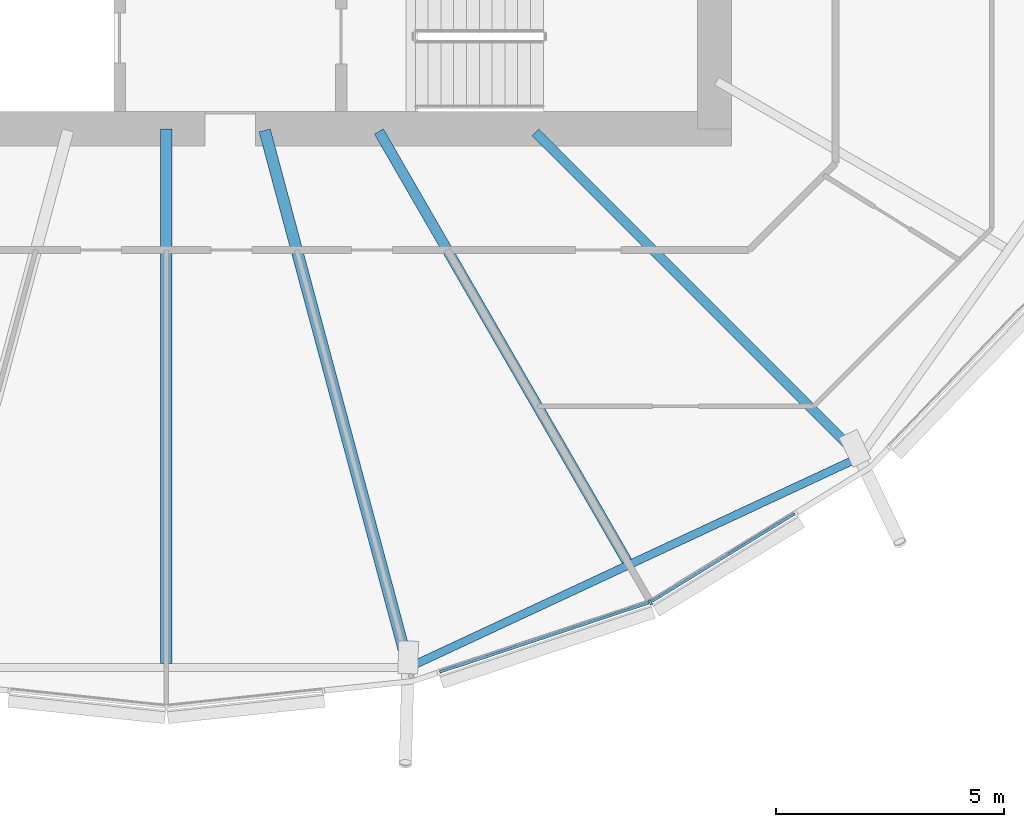
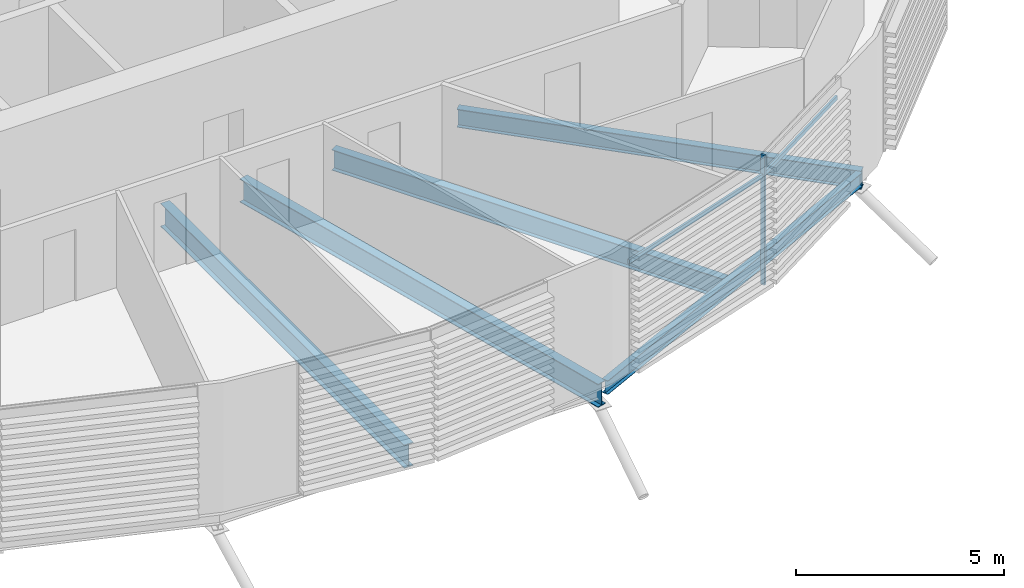
# One storey, part 4 of 38: 5 beams, 3 members, 1 element without a shape of its own.
"""IFC4 building model written with IfcOpenShell, lengths in metres."""

from ifc_helpers import new_model, si_unit, direction, frame, origin, origin_2d, place, context, subcontext, project, spatial, rectangle, i_section, extrude, material, material_profile, profile_set, type_object, element, aggregate, save


model = new_model("IFC4")

# Units and contexts
model_context = context("Model", 3, precision=1e-05, world=origin(), true_north=direction((0.0, 1.0)))
body_context = subcontext(model_context, "Body", "Model", "MODEL_VIEW")
ifc_project = project(units=[si_unit("LENGTHUNIT", "METRE"), si_unit("AREAUNIT", "SQUARE_METRE"), si_unit("VOLUMEUNIT", "CUBIC_METRE"), si_unit("PLANEANGLEUNIT", "RADIAN"), si_unit("MASSUNIT", "GRAM", prefix="KILO")], contexts=[model_context])

# Site, building, storey
site_placement = place(None, origin())
site = spatial("IfcSite", under=ifc_project, at=site_placement, CompositionType="ELEMENT")
building_placement = place(site_placement, origin())
building = spatial("IfcBuilding", under=site, at=building_placement, Name="Rimbun Link Towers", CompositionType="ELEMENT")
storey_placement = place(building_placement, frame((0.0, 0.0, 119.60009765625)))
storey = spatial("IfcBuildingStorey", under=building, at=storey_placement, Name="L29", CompositionType="ELEMENT", Elevation=119.60009765625)

# Curtain wall, members
ifc_material_1 = material(Name="Aluminium 6063-T6 and low-iron glass", Category="aluminium")
curtain_wall_type = type_object("IfcCurtainWallType", Name="CW1-Z2 unitised vision wall (zone 2)", PredefinedType="NOTDEFINED", material=ifc_material_1)
curtain_wall_placement = place(storey_placement, origin())
curtain_wall = element("IfcCurtainWall", 1, at=curtain_wall_placement, inside=storey, type_object=curtain_wall_type, Name="CW1 L29 T1", PredefinedType="NOTDEFINED")
ifc_material_2 = material(Name="Aluminium 6063-T6", Category="aluminium")
ifc_material_profile_1 = material_profile(ifc_material_2, rectangle(XDim=0.1201171875, YDim=0.06005859375, at=origin_2d()), Name="MULLION 60X120")
ifc_profile_set_1 = profile_set([ifc_material_profile_1], Name="Aluminium 6063-T6")
member_type_1 = type_object("IfcMemberType", Name="CW1 mullion 60X120", PredefinedType="MULLION", material=ifc_profile_set_1)
member_1_placement = place(storey_placement, frame((-21.15380859375, -18.364013671875, 0.0), z_axis=(0.0, 0.0, 1.0), x_axis=(0.421704717158, -0.9067332196, 0.0)))
member_1 = element("IfcMember", 2, at=member_1_placement, type_object=member_type_1, Name="CW1 mullion", PredefinedType="MULLION", context=body_context, shape_type="SweptSolid", body=[
    extrude(rectangle(XDim=0.1201171875, YDim=0.06005859375, at=origin_2d()), origin(), (0.0, 0.0, 1.0), 3.7998046875),
])
ifc_material_3 = material(Name="Aluminium 6063-T6", Category="aluminium")
ifc_material_profile_2 = material_profile(ifc_material_3, rectangle(XDim=0.06005859375, YDim=0.1201171875, at=origin_2d()), Name="TRANSOM 60X120")
ifc_profile_set_2 = profile_set([ifc_material_profile_2], Name="Aluminium 6063-T6")
member_type_2 = type_object("IfcMemberType", Name="CW1 transom 60X120", PredefinedType="USERDEFINED", material=ifc_profile_set_2)
member_2_placement = place(storey_placement, frame((-21.189208984375, -18.3740234375, 3.199951171875), z_axis=(-0.94923382133, -0.314571378933, 0.0), x_axis=(0.314571378933, -0.94923382133, 0.0)))
member_2 = element("IfcMember", 3, at=member_2_placement, type_object=member_type_2, Name="CW1 transom", ObjectType="TRANSOM", PredefinedType="USERDEFINED", context=body_context, shape_type="SweptSolid", body=[
    extrude(rectangle(XDim=0.06005859375, YDim=0.1201171875, at=origin_2d()), origin(), (0.0, 0.0, 1.0), 4.8212890625),
])
member_3_placement = place(storey_placement, frame((-17.998779296875, -16.4248046875, 3.199951171875), z_axis=(-0.852165495326, -0.523272365576, 0.0), x_axis=(0.523272365576, -0.852165495326, 0.0)))
member_3 = element("IfcMember", 4, at=member_3_placement, type_object=member_type_2, Name="CW1 transom", ObjectType="TRANSOM", PredefinedType="USERDEFINED", context=body_context, shape_type="SweptSolid", body=[
    extrude(rectangle(XDim=0.06005859375, YDim=0.1201171875, at=origin_2d()), origin(), (0.0, 0.0, 1.0), 3.666259765625),
])
aggregate(curtain_wall, [member_1, member_2, member_3])

# Beams
ifc_material_4 = material(Name="Steel S355J2", Category="steel")
ifc_material_profile_3 = material_profile(ifc_material_4, i_section(OverallWidth=0.177978515625, OverallDepth=0.406494140625, WebThickness=0.0078125, FlangeThickness=0.0126953125, at=origin_2d()), Name="UB 406x178x60")
ifc_profile_set_3 = profile_set([ifc_material_profile_3], Name="Steel S355J2")
beam_type_1 = type_object("IfcBeamType", Name="UB 406x178x60", PredefinedType="BEAM", material=ifc_profile_set_3)
beam_1_placement = place(storey_placement, frame((-26.329833984375, -19.734375, -0.36328125), z_axis=(0.906387823698, 0.422446580116, 0.0), x_axis=(-0.422446580116, 0.906387823698, 0.0)))
element("IfcBeam", 5, at=beam_1_placement, inside=storey, type_object=beam_type_1, Name="Edge beam T1 L29 19-21", PredefinedType="BEAM", context=body_context, shape_type="SweptSolid", body=[
    extrude(i_section(OverallWidth=0.177978515625, OverallDepth=0.406494140625, WebThickness=0.0078125, FlangeThickness=0.0126953125, at=origin_2d()), origin(), (0.0, 0.0, 1.0), 10.65966796875),
])
ifc_material_5 = material(Name="Steel S355J2", Category="steel")
ifc_material_profile_4 = material_profile(ifc_material_5, i_section(OverallWidth=0.209228515625, OverallDepth=0.533203125, WebThickness=0.010009765625, FlangeThickness=0.015625, at=origin_2d()), Name="UB 533x210x92")
ifc_profile_set_4 = profile_set([ifc_material_profile_4], Name="Steel S355J2")
beam_type_2 = type_object("IfcBeamType", Name="UB 533x210x92", PredefinedType="BEAM", material=ifc_profile_set_4)
beam_2_placement = place(storey_placement, frame((-23.67529296875, -8.07470703125, -0.426513671875), z_axis=(0.707106781187, -0.707106781187, 0.0), x_axis=(0.707106781187, 0.707106781187, 0.0)))
element("IfcBeam", 6, at=beam_2_placement, inside=storey, type_object=beam_type_2, Name="Radial beam T1 L29 21", PredefinedType="BEAM", context=body_context, shape_type="SweptSolid", body=[
    extrude(i_section(OverallWidth=0.209228515625, OverallDepth=0.533203125, WebThickness=0.010009765625, FlangeThickness=0.015625, at=origin_2d()), origin(), (0.0, 0.0, 1.0), 10.0537109375),
])
ifc_material_6 = material(Name="Steel S355J2", Category="steel")
ifc_material_profile_5 = material_profile(ifc_material_6, i_section(OverallWidth=0.2275390625, OverallDepth=0.6025390625, WebThickness=0.010498046875, FlangeThickness=0.014892578125, at=origin_2d()), Name="UB 610x229x101")
ifc_profile_set_5 = profile_set([ifc_material_profile_5], Name="Steel S355J2")
beam_type_3 = type_object("IfcBeamType", Name="UB 610x229x101", PredefinedType="BEAM", material=ifc_profile_set_5)
beam_3_placement = place(storey_placement, frame((-27.097900390625, -8.057861328125, -0.46142578125), z_axis=(0.49999814997, -0.866026471897, 0.0), x_axis=(0.866026471897, 0.49999814997, 0.0)))
element("IfcBeam", 7, at=beam_3_placement, inside=storey, type_object=beam_type_3, Name="Radial beam T1 L29 20", PredefinedType="BEAM", context=body_context, shape_type="SweptSolid", body=[
    extrude(i_section(OverallWidth=0.2275390625, OverallDepth=0.6025390625, WebThickness=0.010498046875, FlangeThickness=0.014892578125, at=origin_2d()), origin(), (0.0, 0.0, 1.0), 10.859375),
])
ifc_material_7 = material(Name="Steel S355J2", Category="steel")
ifc_material_profile_6 = material_profile(ifc_material_7, i_section(OverallWidth=0.253662109375, OverallDepth=0.68359375, WebThickness=0.012451171875, FlangeThickness=0.01904296875, at=origin_2d()), Name="UB 686x254x140")
ifc_profile_set_6 = profile_set([ifc_material_profile_6], Name="Steel S355J2")
beam_type_4 = type_object("IfcBeamType", Name="UB 686x254x140", PredefinedType="BEAM", material=ifc_profile_set_6)
beam_4_placement = place(storey_placement, frame((-31.75, -8.0009765625, -0.501953125), z_axis=(0.0, -1.0, 0.0), x_axis=(1.0, 0.0, 0.0)))
element("IfcBeam", 8, at=beam_4_placement, inside=storey, type_object=beam_type_4, Name="Radial beam T1 L29 18", PredefinedType="BEAM", context=body_context, shape_type="SweptSolid", body=[
    extrude(i_section(OverallWidth=0.253662109375, OverallDepth=0.68359375, WebThickness=0.012451171875, FlangeThickness=0.01904296875, at=origin_2d()), origin(), (0.0, 0.0, 1.0), 11.6982421875),
])
beam_5_placement = place(storey_placement, frame((-29.597412109375, -8.03369140625, -0.501953125), z_axis=(0.258818641485, -0.965925934438, 0.0), x_axis=(0.965925934438, 0.258818641485, 0.0)))
element("IfcBeam", 9, at=beam_5_placement, inside=storey, type_object=beam_type_4, Name="Radial beam T1 L29 19", PredefinedType="BEAM", context=body_context, shape_type="SweptSolid", body=[
    extrude(i_section(OverallWidth=0.253662109375, OverallDepth=0.68359375, WebThickness=0.012451171875, FlangeThickness=0.01904296875, at=origin_2d()), origin(), (0.0, 0.0, 1.0), 12.17041015625),
])

save(model, "model.ifc")
